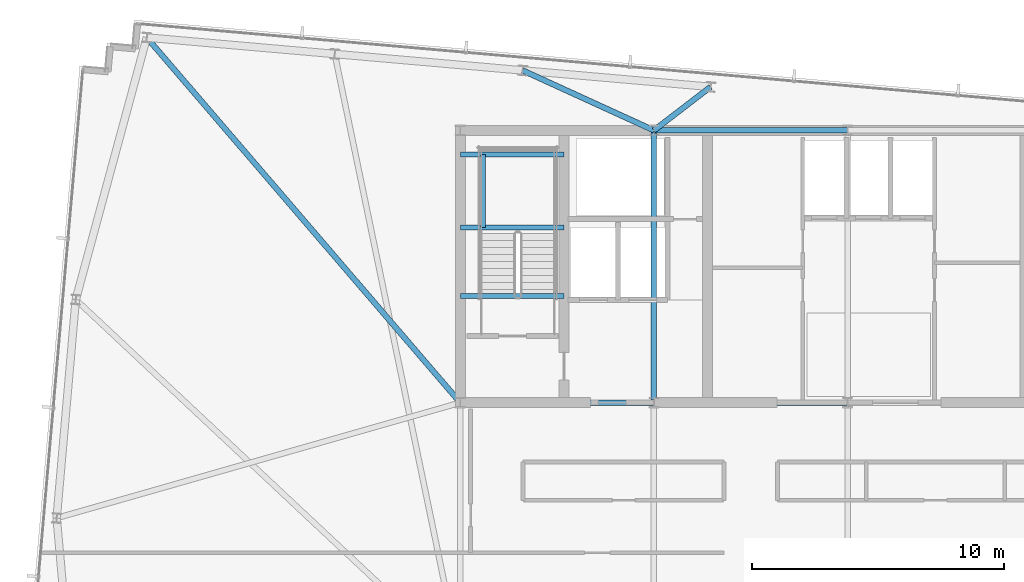
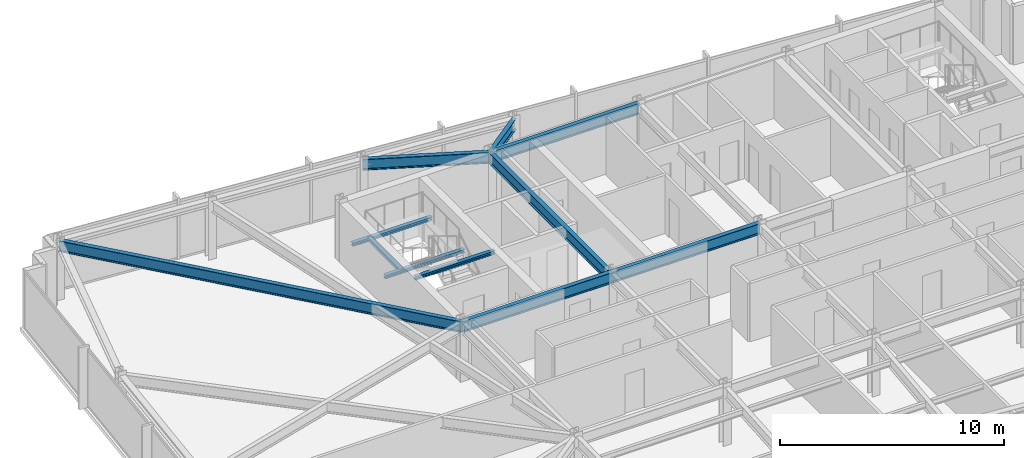
# One storey, part 12 of 32: 11 beams.
"""IFC4 building model written with IfcOpenShell, lengths in metres."""

from ifc_helpers import new_model, si_unit, direction, frame, origin, origin_2d, place, context, subcontext, project, spatial, i_section, extrude, material, material_profile, profile_set, type_object, element, save


model = new_model("IFC4")

# Units and contexts
model_context = context("Model", 3, precision=1e-05, world=origin(), true_north=direction((0.0, 1.0)))
body_context = subcontext(model_context, "Body", "Model", "MODEL_VIEW")
ifc_project = project(units=[si_unit("LENGTHUNIT", "METRE"), si_unit("AREAUNIT", "SQUARE_METRE"), si_unit("VOLUMEUNIT", "CUBIC_METRE"), si_unit("PLANEANGLEUNIT", "RADIAN"), si_unit("MASSUNIT", "GRAM", prefix="KILO")], contexts=[model_context])

# Site, building, storey
site_placement = place(None, origin())
site = spatial("IfcSite", under=ifc_project, at=site_placement, CompositionType="ELEMENT")
building_placement = place(site_placement, origin())
building = spatial("IfcBuilding", under=site, at=building_placement, Name="Yelkora Congress Tower", CompositionType="ELEMENT")
storey_placement = place(building_placement, frame((0.0, 0.0, 293.10009765625)))
storey = spatial("IfcBuildingStorey", under=building, at=storey_placement, Name="L82", CompositionType="ELEMENT", Elevation=293.10009765625)

# Beams
ifc_material = material(Name="Steel S355J2", Category="steel")
ifc_material_profile_1 = material_profile(ifc_material, i_section(OverallWidth=0.219970703125, OverallDepth=0.60009765625, WebThickness=0.011962890625, FlangeThickness=0.01904296875, FilletRadius=0.02392578125, at=origin_2d()), Name="IPE 600")
ifc_profile_set_1 = profile_set([ifc_material_profile_1], Name="Steel S355J2")
beam_type_1 = type_object("IfcBeamType", Name="BM-GIRD-IPE600", PredefinedType="BEAM", material=ifc_profile_set_1)
for number, where, z_axis, x_axis, name in (
    (1, (30.719970703125, 46.199951171875, 2.8798828125), (1.0, 0.0, 0.0), (0.0, 1.0, 0.0), "L82 Core North Girder 2"),
    (2, (23.0400390625, 35.39990234375, 2.8798828125), (1.0, 0.0, 0.0), (0.0, 1.0, 0.0), "L82 Core South Girder 1"),
    (3, (30.719970703125, 35.39990234375, 2.8798828125), (1.0, 0.0, 0.0), (0.0, 1.0, 0.0), "L82 Core South Girder 2"),
):
    element("IfcBeam", number, at=place(storey_placement, frame(where, z_axis=z_axis, x_axis=x_axis)), inside=storey, type_object=beam_type_1, Name=name, PredefinedType="BEAM", context=body_context, shape_type="SweptSolid", body=[
        extrude(i_section(OverallWidth=0.219970703125, OverallDepth=0.60009765625, WebThickness=0.011962890625, FlangeThickness=0.01904296875, FilletRadius=0.02392578125, at=origin_2d()), origin(), (0.0, 0.0, 1.0), 7.679931640625),
    ])
beam_1_placement = place(storey_placement, frame((30.719970703125, 35.39990234375, 2.8798828125), z_axis=(0.0, 1.0, 0.0), x_axis=(-1.0, 0.0, 0.0)))
element("IfcBeam", 4, at=beam_1_placement, inside=storey, type_object=beam_type_1, Name="L82 Core Tie Girder MC-S2", PredefinedType="BEAM", context=body_context, shape_type="SweptSolid", body=[
    extrude(i_section(OverallWidth=0.219970703125, OverallDepth=0.60009765625, WebThickness=0.011962890625, FlangeThickness=0.01904296875, FilletRadius=0.02392578125, at=origin_2d()), origin(), (0.0, 0.0, 1.0), 10.800048828125),
])
beam_2_placement = place(storey_placement, frame((10.60400390625, 49.884033203125, 2.8798828125), z_axis=(0.651427266579, -0.758711088859, 0.0), x_axis=(0.758711088859, 0.651427266579, 0.0)))
element("IfcBeam", 5, at=beam_2_placement, inside=storey, type_object=beam_type_1, Name="L82 Primary Frame Girder N01", PredefinedType="BEAM", context=body_context, shape_type="SweptSolid", body=[
    extrude(i_section(OverallWidth=0.219970703125, OverallDepth=0.60009765625, WebThickness=0.011962890625, FlangeThickness=0.01904296875, FilletRadius=0.02392578125, at=origin_2d()), origin(), (0.0, 0.0, 1.0), 19.09033203125),
])
beam_3_placement = place(storey_placement, frame((25.513916015625, 48.57958984375, 2.8798828125), z_axis=(0.909492445228, -0.415720449429, 0.0), x_axis=(0.415720449429, 0.909492445228, 0.0)))
element("IfcBeam", 6, at=beam_3_placement, inside=storey, type_object=beam_type_1, Name="L82 Primary Frame Girder N03", PredefinedType="BEAM", context=body_context, shape_type="SweptSolid", body=[
    extrude(i_section(OverallWidth=0.219970703125, OverallDepth=0.60009765625, WebThickness=0.011962890625, FlangeThickness=0.01904296875, FilletRadius=0.02392578125, at=origin_2d()), origin(), (0.0, 0.0, 1.0), 5.72412109375),
])
beam_4_placement = place(storey_placement, frame((32.968505859375, 47.927490234375, 2.8798828125), z_axis=(-0.792982335977, -0.609244626425, 0.0), x_axis=(0.609244626425, -0.792982335977, 0.0)))
element("IfcBeam", 7, at=beam_4_placement, inside=storey, type_object=beam_type_1, Name="L82 Primary Frame Girder N04", PredefinedType="BEAM", context=body_context, shape_type="SweptSolid", body=[
    extrude(i_section(OverallWidth=0.219970703125, OverallDepth=0.60009765625, WebThickness=0.011962890625, FlangeThickness=0.01904296875, FilletRadius=0.02392578125, at=origin_2d()), origin(), (0.0, 0.0, 1.0), 2.83544921875),
])
ifc_material_profile_2 = material_profile(ifc_material, i_section(OverallWidth=0.199951171875, OverallDepth=0.18994140625, WebThickness=0.006591796875, FlangeThickness=0.010009765625, FilletRadius=0.01806640625, at=origin_2d()), Name="HEA 200")
ifc_profile_set_2 = profile_set([ifc_material_profile_2], Name="Steel S355J2")
beam_type_2 = type_object("IfcBeamType", Name="BM-LAND-HEA200", PredefinedType="BEAM", material=ifc_profile_set_2)
for number, where, z_axis, x_axis, name in (
    (8, (23.0400390625, 42.340087890625, 1.384521484375), (1.0, 0.0, 0.0), (0.0, 1.0, 0.0), "ST-01 L82 Landing Header Beam 1S"),
    (9, (23.0400390625, 45.25, 1.384521484375), (1.0, 0.0, 0.0), (0.0, 1.0, 0.0), "ST-01 L82 Landing Header Beam 1N"),
):
    element("IfcBeam", number, at=place(storey_placement, frame(where, z_axis=z_axis, x_axis=x_axis)), inside=storey, type_object=beam_type_2, Name=name, PredefinedType="BEAM", context=body_context, shape_type="SweptSolid", body=[
        extrude(i_section(OverallWidth=0.199951171875, OverallDepth=0.18994140625, WebThickness=0.006591796875, FlangeThickness=0.010009765625, FilletRadius=0.01806640625, at=origin_2d()), origin(), (0.0, 0.0, 1.0), 4.10986328125),
    ])
beam_5_placement = place(storey_placement, frame((23.93994140625, 42.340087890625, 1.384521484375), z_axis=(0.0, 1.0, 0.0), x_axis=(-1.0, 0.0, 0.0)))
element("IfcBeam", 10, at=beam_5_placement, inside=storey, type_object=beam_type_2, Name="ST-01 L82 Landing Trimmer Beam 1M", PredefinedType="BEAM", context=body_context, shape_type="SweptSolid", body=[
    extrude(i_section(OverallWidth=0.199951171875, OverallDepth=0.18994140625, WebThickness=0.006591796875, FlangeThickness=0.010009765625, FilletRadius=0.01806640625, at=origin_2d()), origin(), (0.0, 0.0, 1.0), 2.909912109375),
])
beam_6_placement = place(storey_placement, frame((23.0400390625, 39.639892578125, 2.947265625), z_axis=(1.0, 0.0, 0.0), x_axis=(0.0, 1.0, 0.0)))
element("IfcBeam", 11, at=beam_6_placement, inside=storey, type_object=beam_type_2, Name="ST-01 L82 Floor Arrival Stringer Header Beam", PredefinedType="BEAM", context=body_context, shape_type="SweptSolid", body=[
    extrude(i_section(OverallWidth=0.199951171875, OverallDepth=0.18994140625, WebThickness=0.006591796875, FlangeThickness=0.010009765625, FilletRadius=0.01806640625, at=origin_2d()), origin(), (0.0, 0.0, 1.0), 4.10986328125),
])

save(model, "model.ifc")
